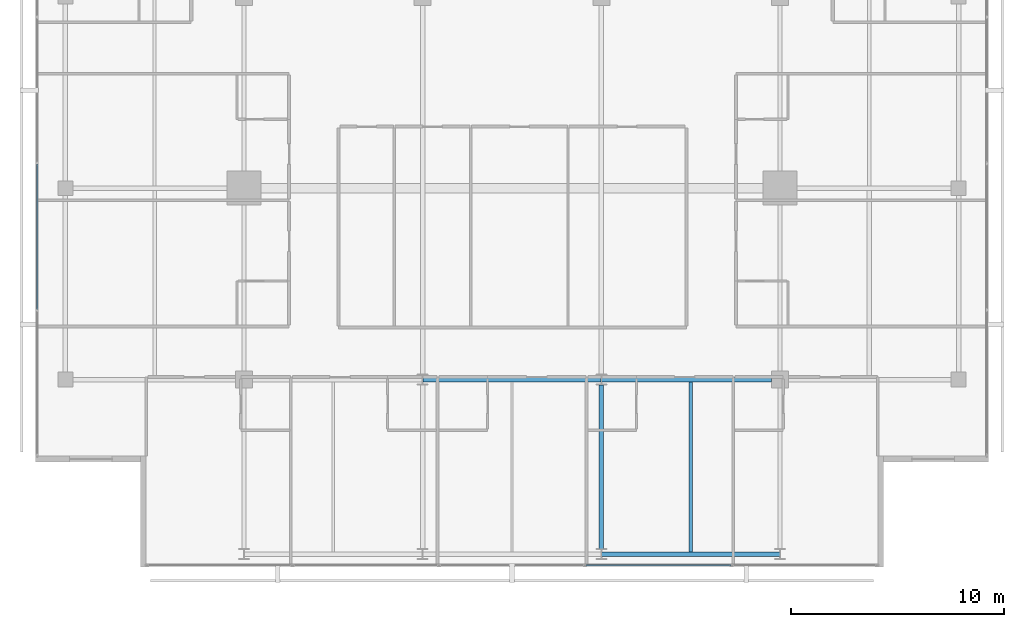
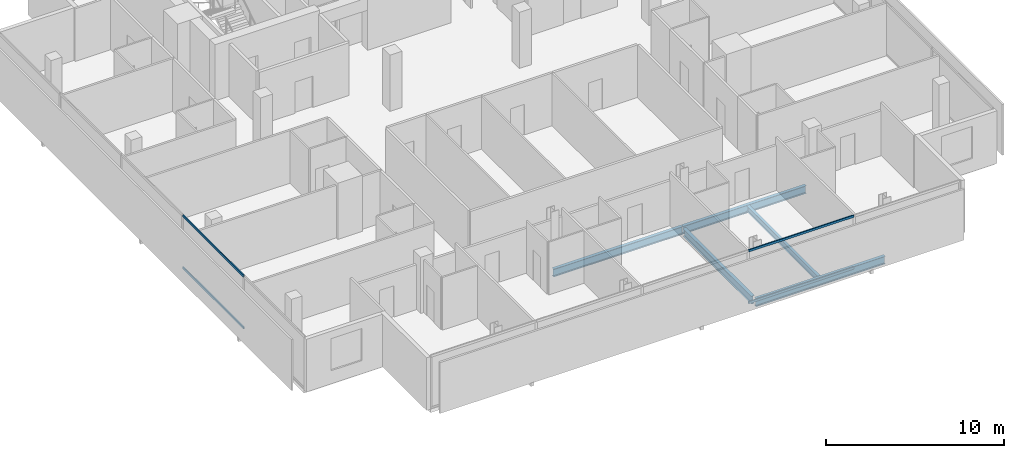
# One storey, part 7 of 25: 5 beams, 4 members, 2 elements without a shape of their own.
"""IFC4 building model written with IfcOpenShell, lengths in metres."""

from ifc_helpers import new_model, si_unit, direction, frame, origin, origin_2d, place, context, subcontext, project, spatial, hollow_rectangle, i_section, extrude, material, layer, layer_set, material_profile, profile_set, type_object, element, aggregate, save


model = new_model("IFC4")

# Units and contexts
model_context = context("Model", 3, precision=1e-05, world=origin(), true_north=direction((0.0, 1.0)))
body_context = subcontext(model_context, "Body", "Model", "MODEL_VIEW")
ifc_project = project(units=[si_unit("LENGTHUNIT", "METRE"), si_unit("AREAUNIT", "SQUARE_METRE"), si_unit("VOLUMEUNIT", "CUBIC_METRE"), si_unit("PLANEANGLEUNIT", "RADIAN"), si_unit("MASSUNIT", "GRAM", prefix="KILO")], contexts=[model_context])

# Site, building, storey
site_placement = place(None, origin())
site = spatial("IfcSite", under=ifc_project, at=site_placement, CompositionType="ELEMENT")
building_placement = place(site_placement, origin())
building = spatial("IfcBuilding", under=site, at=building_placement, Name="Maruvema Waterfront Hotel and Observation Tower", CompositionType="ELEMENT")
storey_placement = place(building_placement, frame((0.0, 0.0, 262.5)))
storey = spatial("IfcBuildingStorey", under=building, at=storey_placement, Name="L64", CompositionType="ELEMENT", Elevation=262.5)

# Curtain wall, members
ifc_material_1 = material(Name="Anodised bronze aluminium and solar-control low-E IGU", Category="aluminium")
ifc_layer = layer(ifc_material_1, 0.159912109375, Name="Zone 3 Champagne Inner Thermal Curtain Wall System CW-04")
ifc_layer_set = layer_set([ifc_layer], Name="Anodised bronze aluminium and solar-control low-E IGU")
curtain_wall_type = type_object("IfcCurtainWallType", Name="Zone 3 Champagne Inner Thermal Curtain Wall System CW-04", PredefinedType="USERDEFINED", material=ifc_layer_set)
curtain_wall_1_placement = place(storey_placement, origin())
curtain_wall_1 = element("IfcCurtainWall", 1, at=curtain_wall_1_placement, inside=storey, type_object=curtain_wall_type, Name="L64 Curtain Wall CW-L64-S", ObjectType="UNITISED CURTAIN WALL", PredefinedType="USERDEFINED")
ifc_material_2 = material(Name="Anodised architectural bronze aluminium", Category="aluminium")
ifc_material_profile_1 = material_profile(ifc_material_2, hollow_rectangle(XDim=0.070068359375, YDim=0.14990234375, WallThickness=0.00390625, at=origin_2d()), Name="ALU-T70x150")
ifc_profile_set_1 = profile_set([ifc_material_profile_1], Name="Anodised architectural bronze aluminium")
member_type = type_object("IfcMemberType", Name="Curtain Wall Horizontal Transom ALU-T70x150", PredefinedType="USERDEFINED", material=ifc_profile_set_1)
member_1_placement = place(storey_placement, frame((41.27001953125, 9.280029296875, 0.030029296875), z_axis=(1.0, 0.0, 0.0), x_axis=(0.0, 1.0, 0.0)))
member_1 = element("IfcMember", 2, at=member_1_placement, type_object=member_type, Name="CW-04 transom 4.1", ObjectType="TRANSOM", PredefinedType="USERDEFINED", context=body_context, shape_type="SweptSolid", body=[
    extrude(hollow_rectangle(XDim=0.070068359375, YDim=0.14990234375, WallThickness=0.00390625, at=origin_2d()), origin(), (0.0, 0.0, 1.0), 6.820068359375),
])
member_2_placement = place(storey_placement, frame((41.27001953125, 9.280029296875, 3.580078125), z_axis=(1.0, 0.0, 0.0), x_axis=(0.0, 1.0, 0.0)))
member_2 = element("IfcMember", 3, at=member_2_placement, type_object=member_type, Name="CW-04 transom 4.2", ObjectType="TRANSOM", PredefinedType="USERDEFINED", context=body_context, shape_type="SweptSolid", body=[
    extrude(hollow_rectangle(XDim=0.070068359375, YDim=0.14990234375, WallThickness=0.00390625, at=origin_2d()), origin(), (0.0, 0.0, 1.0), 6.820068359375),
])
aggregate(curtain_wall_1, [member_1, member_2])

curtain_wall_2_placement = place(storey_placement, origin())
curtain_wall_2 = element("IfcCurtainWall", 4, at=curtain_wall_2_placement, inside=storey, type_object=curtain_wall_type, Name="L64 Curtain Wall CW-L64-W", ObjectType="UNITISED CURTAIN WALL", PredefinedType="USERDEFINED")
member_3_placement = place(storey_placement, frame((15.47998046875, 28.1298828125, 0.030029296875), z_axis=(0.0, -1.0, 0.0), x_axis=(1.0, 0.0, 0.0)))
member_3 = element("IfcMember", 5, at=member_3_placement, type_object=member_type, Name="CW-04 transom 4.1", ObjectType="TRANSOM", PredefinedType="USERDEFINED", context=body_context, shape_type="SweptSolid", body=[
    extrude(hollow_rectangle(XDim=0.070068359375, YDim=0.14990234375, WallThickness=0.00390625, at=origin_2d()), origin(), (0.0, 0.0, 1.0), 6.81982421875),
])
member_4_placement = place(storey_placement, frame((15.47998046875, 28.1298828125, 3.580078125), z_axis=(0.0, -1.0, 0.0), x_axis=(1.0, 0.0, 0.0)))
member_4 = element("IfcMember", 6, at=member_4_placement, type_object=member_type, Name="CW-04 transom 4.2", ObjectType="TRANSOM", PredefinedType="USERDEFINED", context=body_context, shape_type="SweptSolid", body=[
    extrude(hollow_rectangle(XDim=0.070068359375, YDim=0.14990234375, WallThickness=0.00390625, at=origin_2d()), origin(), (0.0, 0.0, 1.0), 6.81982421875),
])
aggregate(curtain_wall_2, [member_3, member_4])

# Beams
ifc_material_3 = material(Name="Steel ASTM A572 Grade 50", Category="steel")
ifc_material_profile_2 = material_profile(ifc_material_3, i_section(OverallWidth=0.208984375, OverallDepth=0.532958984375, WebThickness=0.01025390625, FlangeThickness=0.015625, FilletRadius=0.014892578125, at=origin_2d()), Name="W530x92.0")
ifc_profile_set_2 = profile_set([ifc_material_profile_2], Name="Steel ASTM A572 Grade 50")
beam_type_1 = type_object("IfcBeamType", Name="Primary Floor Girder W530x92.0", PredefinedType="BEAM", material=ifc_profile_set_2)
for number, where, z_axis, x_axis, name in (
    (7, (42.010986328125, 9.800048828125, -0.506591796875), (1.0, 0.0, 0.0), (0.0, 1.0, 0.0), "L64 Floor Girder EW-03"),
    (8, (33.611083984375, 18.0, -0.506591796875), (1.0, 0.0, 0.0), (0.0, 1.0, 0.0), "L64 Floor Girder EW-06"),
):
    element("IfcBeam", number, at=place(storey_placement, frame(where, z_axis=z_axis, x_axis=x_axis)), inside=storey, type_object=beam_type_1, Name=name, PredefinedType="BEAM", context=body_context, shape_type="SweptSolid", body=[
        extrude(i_section(OverallWidth=0.208984375, OverallDepth=0.532958984375, WebThickness=0.01025390625, FlangeThickness=0.015625, FilletRadius=0.014892578125, at=origin_2d()), origin(), (0.0, 0.0, 1.0), 8.3779296875),
    ])
beam_1_placement = place(storey_placement, frame((42.010986328125, 18.0, -0.506591796875), z_axis=(1.0, 0.0, 0.0), x_axis=(0.0, 1.0, 0.0)))
element("IfcBeam", 9, at=beam_1_placement, inside=storey, type_object=beam_type_1, Name="L64 Floor Girder EW-07", PredefinedType="BEAM", context=body_context, shape_type="SweptSolid", body=[
    extrude(i_section(OverallWidth=0.208984375, OverallDepth=0.532958984375, WebThickness=0.01025390625, FlangeThickness=0.015625, FilletRadius=0.014892578125, at=origin_2d()), origin(), (0.0, 0.0, 1.0), 7.989013671875),
])
beam_2_placement = place(storey_placement, frame((42.0, 10.050048828125, -0.506591796875), z_axis=(0.0, 1.0, 0.0), x_axis=(-1.0, 0.0, 0.0)))
element("IfcBeam", 10, at=beam_2_placement, inside=storey, type_object=beam_type_1, Name="L64 Floor Girder NS-10", PredefinedType="BEAM", context=body_context, shape_type="SweptSolid", body=[
    extrude(i_section(OverallWidth=0.208984375, OverallDepth=0.532958984375, WebThickness=0.01025390625, FlangeThickness=0.015625, FilletRadius=0.014892578125, at=origin_2d()), origin(), (0.0, 0.0, 1.0), 7.699951171875),
])
ifc_material_4 = material(Name="Steel ASTM A572 Grade 50", Category="steel")
ifc_material_profile_3 = material_profile(ifc_material_4, i_section(OverallWidth=0.177001953125, OverallDepth=0.403076171875, WebThickness=0.007568359375, FlangeThickness=0.010986328125, FilletRadius=0.014892578125, at=origin_2d()), Name="W410x53.0")
ifc_profile_set_3 = profile_set([ifc_material_profile_3], Name="Steel ASTM A572 Grade 50")
beam_type_2 = type_object("IfcBeamType", Name="Secondary Floor Joist W410x53.0", PredefinedType="JOIST", material=ifc_profile_set_3)
beam_3_placement = place(storey_placement, frame((46.199951171875, 9.904541015625, -0.44140625), z_axis=(0.0, 1.0, 0.0), x_axis=(-1.0, 0.0, 0.0)))
element("IfcBeam", 11, at=beam_3_placement, inside=storey, type_object=beam_type_2, Name="L64 Secondary Floor Joist JS-06", PredefinedType="JOIST", context=body_context, shape_type="SweptSolid", body=[
    extrude(i_section(OverallWidth=0.177001953125, OverallDepth=0.403076171875, WebThickness=0.007568359375, FlangeThickness=0.010986328125, FilletRadius=0.014892578125, at=origin_2d()), origin(), (0.0, 0.0, 1.0), 7.990966796875),
])

save(model, "model.ifc")
